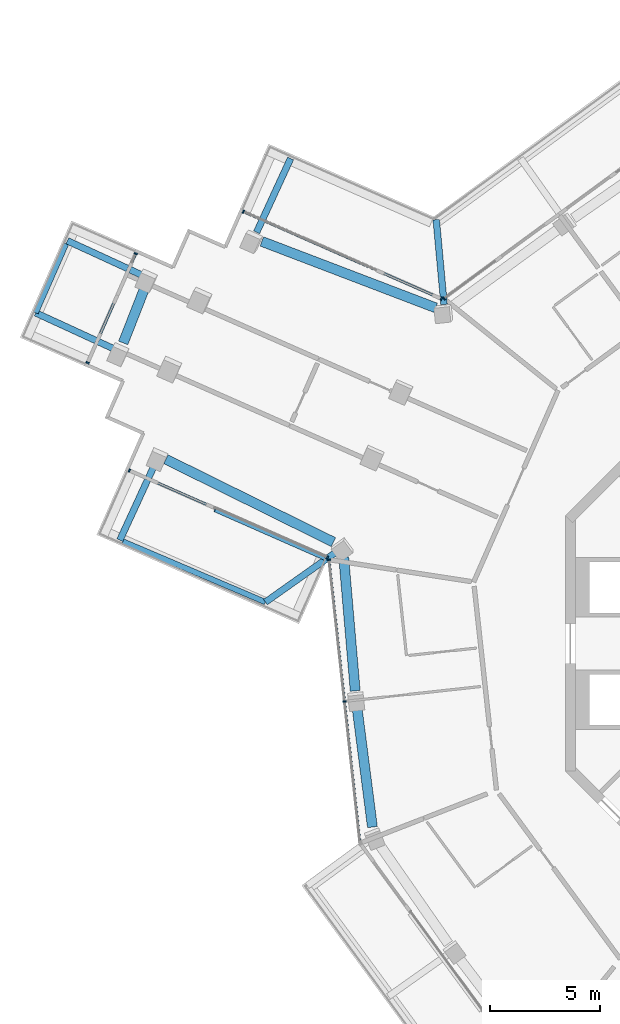
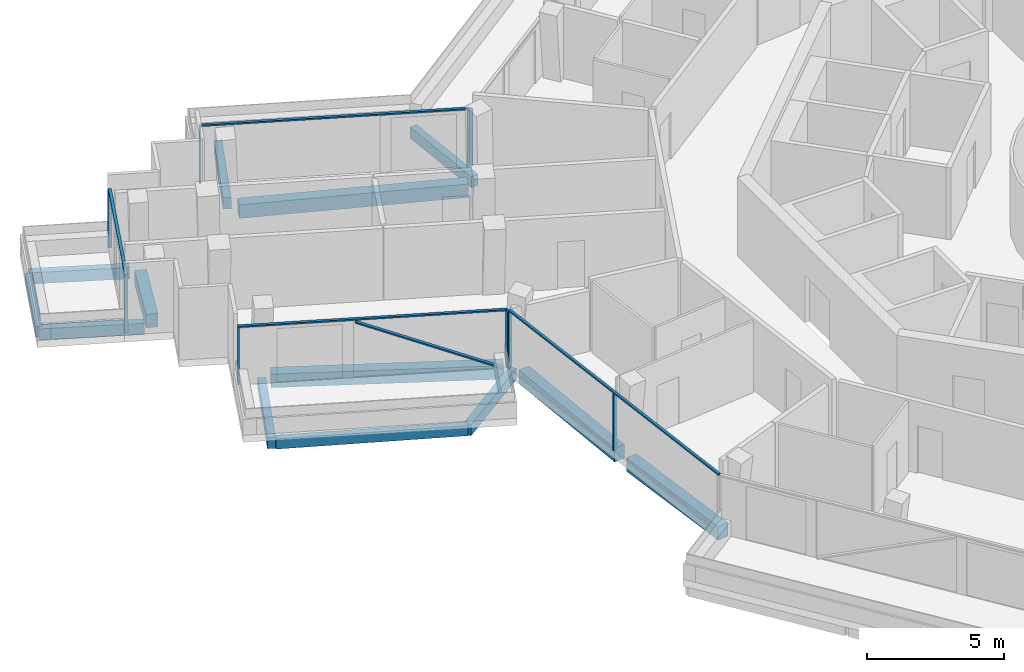
# One storey, part 5 of 24: 14 members, 13 beams, 5 elements without a shape of their own.
"""IFC4 building model written with IfcOpenShell, lengths in metres."""

from ifc_helpers import new_model, si_unit, direction, frame, origin, origin_2d, place, context, subcontext, project, spatial, rectangle, extrude, material, layer, layer_set, material_profile, profile_set, type_object, element, aggregate, save


model = new_model("IFC4")

# Units and contexts
model_context = context("Model", 3, precision=1e-05, world=origin(), true_north=direction((0.0, 1.0)))
body_context = subcontext(model_context, "Body", "Model", "MODEL_VIEW")
ifc_project = project(units=[si_unit("LENGTHUNIT", "METRE"), si_unit("AREAUNIT", "SQUARE_METRE"), si_unit("VOLUMEUNIT", "CUBIC_METRE"), si_unit("PLANEANGLEUNIT", "RADIAN"), si_unit("MASSUNIT", "GRAM", prefix="KILO")], contexts=[model_context])

# Site, building, storey
site_placement = place(None, origin())
site = spatial("IfcSite", under=ifc_project, at=site_placement, CompositionType="ELEMENT")
building_placement = place(site_placement, origin())
building = spatial("IfcBuilding", under=site, at=building_placement, Name="Verdalira Terraces Hotel", CompositionType="ELEMENT")
storey_placement = place(building_placement, frame((0.0, 0.0, 303.0)))
storey = spatial("IfcBuildingStorey", under=building, at=storey_placement, Name="L75", CompositionType="ELEMENT", Elevation=303.0)

# Beams
ifc_material_1 = material(Name="Concrete C40", Category="concrete")
ifc_material_profile_1 = material_profile(ifc_material_1, rectangle(XDim=0.300049, YDim=0.5, at=origin_2d()), Name="RC 300X500")
ifc_profile_set_1 = profile_set([ifc_material_profile_1], Name="Concrete C40")
beam_type_1 = type_object("IfcBeamType", Name="Balcony cantilever beam RC 300X500 C40", PredefinedType="BEAM", material=ifc_profile_set_1)
beam_1_placement = place(storey_placement, frame((-33.278076, 16.758789, -0.560059), z_axis=(-0.908368983, 0.418169571, 0.0), x_axis=(-0.418169571, -0.908368983, 0.0)))
element("IfcBeam", 1, at=beam_1_placement, inside=storey, type_object=beam_type_1, Name="Balcony cantilever beam R05-1", PredefinedType="BEAM", context=body_context, shape_type="SweptSolid", body=[
    extrude(rectangle(XDim=0.300049, YDim=0.5, at=origin_2d()), origin(), (0.0, 0.0, 1.0), 3.69458),
])
beam_2_placement = place(storey_placement, frame((-34.579102, 13.419678, -0.560059), z_axis=(-0.908361814, 0.418185144, 0.0), x_axis=(-0.418185144, -0.908361814, 0.0)))
element("IfcBeam", 2, at=beam_2_placement, inside=storey, type_object=beam_type_1, Name="Balcony cantilever beam R05-2", PredefinedType="BEAM", context=body_context, shape_type="SweptSolid", body=[
    extrude(rectangle(XDim=0.300049, YDim=0.5, at=origin_2d()), origin(), (0.0, 0.0, 1.0), 3.849121),
])
beam_3_placement = place(storey_placement, frame((-32.64917, 8.176758, -0.560059), z_axis=(-0.418192868, -0.908358258, 0.0), x_axis=(0.908358258, -0.418192868, 0.0)))
element("IfcBeam", 3, at=beam_3_placement, inside=storey, type_object=beam_type_1, Name="Balcony cantilever beam R10-1", PredefinedType="BEAM", context=body_context, shape_type="SweptSolid", body=[
    extrude(rectangle(XDim=0.300049, YDim=0.5, at=origin_2d()), origin(), (0.0, 0.0, 1.0), 3.829834),
])
beam_4_placement = place(storey_placement, frame((-24.410889, 4.163574, -0.560059), z_axis=(-0.816335323, -0.577578255, 0.0), x_axis=(0.577578255, -0.816335323, 0.0)))
element("IfcBeam", 4, at=beam_4_placement, inside=storey, type_object=beam_type_1, Name="Balcony cantilever beam R10-2", PredefinedType="BEAM", context=body_context, shape_type="SweptSolid", body=[
    extrude(rectangle(XDim=0.300049, YDim=0.5, at=origin_2d()), origin(), (0.0, 0.0, 1.0), 3.950195),
])
beam_5_placement = place(storey_placement, frame((-28.035156, 18.688721, -0.560059), z_axis=(0.41819818, 0.908355813, 0.0), x_axis=(-0.908355813, 0.41819818, 0.0)))
element("IfcBeam", 5, at=beam_5_placement, inside=storey, type_object=beam_type_1, Name="Balcony cantilever beam R41-1", PredefinedType="BEAM", context=body_context, shape_type="SweptSolid", body=[
    extrude(rectangle(XDim=0.300049, YDim=0.5, at=origin_2d()), origin(), (0.0, 0.0, 1.0), 3.691406),
])
beam_6_placement = place(storey_placement, frame((-19.517578, 15.411621, -0.560059), z_axis=(-0.092048775, 0.995754499, 0.0), x_axis=(-0.995754499, -0.092048775, 0.0)))
element("IfcBeam", 6, at=beam_6_placement, inside=storey, type_object=beam_type_1, Name="Balcony cantilever beam R41-4", PredefinedType="BEAM", context=body_context, shape_type="SweptSolid", body=[
    extrude(rectangle(XDim=0.300049, YDim=0.5, at=origin_2d()), origin(), (0.0, 0.0, 1.0), 3.869629),
])
ifc_material_2 = material(Name="Concrete C40", Category="concrete")
ifc_material_profile_2 = material_profile(ifc_material_2, rectangle(XDim=0.25, YDim=0.449951, at=origin_2d()), Name="RC 250X450")
ifc_profile_set_2 = profile_set([ifc_material_profile_2], Name="Concrete C40")
beam_type_2 = type_object("IfcBeamType", Name="Balcony edge beam RC 250X450 C40", PredefinedType="BEAM", material=ifc_profile_set_2)
beam_7_placement = place(storey_placement, frame((-36.694336, 18.166504, -0.534912), z_axis=(-0.402917623, -0.915236248, 0.0), x_axis=(0.915236248, -0.402917623, 0.0)))
element("IfcBeam", 7, at=beam_7_placement, inside=storey, type_object=beam_type_2, Name="Balcony edge beam R05-1", PredefinedType="BEAM", context=body_context, shape_type="SweptSolid", body=[
    extrude(rectangle(XDim=0.25, YDim=0.449951, at=origin_2d()), origin(), (0.0, 0.0, 1.0), 3.427734),
])
beam_8_placement = place(storey_placement, frame((-34.112793, 4.63916, -0.534912), z_axis=(0.920114487, -0.391649501, 0.0), x_axis=(0.391649501, 0.920114487, 0.0)))
element("IfcBeam", 8, at=beam_8_placement, inside=storey, type_object=beam_type_2, Name="Balcony edge beam R10-1", PredefinedType="BEAM", context=body_context, shape_type="SweptSolid", body=[
    extrude(rectangle(XDim=0.25, YDim=0.449951, at=origin_2d()), origin(), (0.0, 0.0, 1.0), 7.039551),
])

# Curtain wall, members
ifc_material_3 = material(Name="Clear glass", Category="glass")
ifc_layer_1 = layer(ifc_material_3, 0.14990234375)
ifc_layer_set_1 = layer_set([ifc_layer_1], Name="CW1 curtain wall")
curtain_wall_type_1 = type_object("IfcCurtainWallType", Name="CW1 curtain wall", PredefinedType="NOTDEFINED", material=ifc_layer_set_1)
curtain_wall_1_placement = place(storey_placement, origin())
curtain_wall_1 = element("IfcCurtainWall", 9, at=curtain_wall_1_placement, inside=storey, type_object=curtain_wall_type_1, Name="CW1 curtain wall L75 edge 11", PredefinedType="NOTDEFINED")
ifc_material_4 = material(Name="Terracotta frame", Category="masonry")
ifc_material_profile_3 = material_profile(ifc_material_4, rectangle(XDim=0.060059, YDim=0.149902, at=origin_2d()), Name="MU 60x150")
ifc_profile_set_3 = profile_set([ifc_material_profile_3], Name="Terracotta frame")
member_type_1 = type_object("IfcMemberType", Name="CW1 mullion 60x150", PredefinedType="MULLION", material=ifc_profile_set_3)
member_1_placement = place(storey_placement, frame((-24.743408, 3.802979, 0.0), z_axis=(0.0, 0.0, 1.0), x_axis=(0.108693378, -0.994075324, 0.0)))
member_1 = element("IfcMember", 10, at=member_1_placement, type_object=member_type_1, Name="CW1 mullion", PredefinedType="MULLION", context=body_context, shape_type="SweptSolid", body=[
    extrude(rectangle(XDim=0.060059, YDim=0.149902, at=origin_2d()), origin(), (0.0, 0.0, 1.0), 2.524902),
])
member_2_placement = place(storey_placement, frame((-24.040039, -2.628662, 0.0), z_axis=(0.0, 0.0, 1.0), x_axis=(0.108693378, -0.994075324, 0.0)))
member_2 = element("IfcMember", 11, at=member_2_placement, type_object=member_type_1, Name="CW1 mullion", PredefinedType="MULLION", context=body_context, shape_type="SweptSolid", body=[
    extrude(rectangle(XDim=0.060059, YDim=0.149902, at=origin_2d()), origin(), (0.0, 0.0, 1.0), 2.524902),
])

# Curtain wall, member
curtain_wall_2_placement = place(storey_placement, origin())
curtain_wall_2 = element("IfcCurtainWall", 12, at=curtain_wall_2_placement, inside=storey, type_object=curtain_wall_type_1, Name="CW1 curtain wall L75 edge 41", PredefinedType="NOTDEFINED")
member_3_placement = place(storey_placement, frame((-19.514893, 15.680176, 0.0), z_axis=(0.0, 0.0, 1.0), x_axis=(-0.806547795, -0.591168888, 0.0)))
member_3 = element("IfcMember", 13, at=member_3_placement, type_object=member_type_1, Name="CW1 mullion", PredefinedType="MULLION", context=body_context, shape_type="SweptSolid", body=[
    extrude(rectangle(XDim=0.060059, YDim=0.149902, at=origin_2d()), origin(), (0.0, 0.0, 1.0), 2.524902),
])
aggregate(curtain_wall_2, [member_3])

# Member
ifc_material_5 = material(Name="Terracotta frame", Category="masonry")
ifc_material_profile_4 = material_profile(ifc_material_5, rectangle(XDim=0.110107, YDim=0.064941, at=origin_2d()), Name="TR 65x110")
ifc_profile_set_4 = profile_set([ifc_material_profile_4], Name="Terracotta frame")
member_type_2 = type_object("IfcMemberType", Name="CW1 transom 65x110", PredefinedType="USERDEFINED", material=ifc_profile_set_4)
member_4_placement = place(storey_placement, frame((-24.746582, 3.833008, 2.557617), z_axis=(0.108696632, -0.994074968, 0.0), x_axis=(0.994074968, 0.108696632, 0.0)))
member_4 = element("IfcMember", 14, at=member_4_placement, type_object=member_type_2, Name="CW1 transom", ObjectType="TRANSOM", PredefinedType="USERDEFINED", context=body_context, shape_type="SweptSolid", body=[
    extrude(rectangle(XDim=0.110107, YDim=0.064941, at=origin_2d()), origin(), (0.0, 0.0, 1.0), 12.959961),
])

aggregate(curtain_wall_1, [member_1, member_2, member_4])

# Curtain wall, members
ifc_material_6 = material(Name="Clear glass", Category="glass")
ifc_layer_2 = layer(ifc_material_6, 0.14990234375)
ifc_layer_set_2 = layer_set([ifc_layer_2], Name="CW2 curtain wall")
curtain_wall_type_2 = type_object("IfcCurtainWallType", Name="CW2 curtain wall", PredefinedType="NOTDEFINED", material=ifc_layer_set_2)
curtain_wall_3_placement = place(storey_placement, origin())
curtain_wall_3 = element("IfcCurtainWall", 15, at=curtain_wall_3_placement, inside=storey, type_object=curtain_wall_type_2, Name="CW2 curtain wall L75 edge 0", PredefinedType="NOTDEFINED")
ifc_material_7 = material(Name="Terracotta frame", Category="masonry")
ifc_material_profile_5 = material_profile(ifc_material_7, rectangle(XDim=0.070068, YDim=0.149902, at=origin_2d()), Name="MU 70x150")
ifc_profile_set_5 = profile_set([ifc_material_profile_5], Name="Terracotta frame")
member_type_3 = type_object("IfcMemberType", Name="CW2 mullion 70x150", PredefinedType="MULLION", material=ifc_profile_set_5)
member_5_placement = place(storey_placement, frame((-19.645508, 15.668457, 0.0), z_axis=(0.0, 0.0, 1.0), x_axis=(-0.915241173, 0.402906436, 0.0)))
member_5 = element("IfcMember", 16, at=member_5_placement, type_object=member_type_3, Name="CW2 mullion", PredefinedType="MULLION", context=body_context, shape_type="SweptSolid", body=[
    extrude(rectangle(XDim=0.070068, YDim=0.149902, at=origin_2d()), origin(), (0.0, 0.0, 1.0), 2.524902),
])
member_6_placement = place(storey_placement, frame((-28.637939, 19.626953, 0.0), z_axis=(0.0, 0.0, 1.0), x_axis=(-0.915241173, 0.402906436, 0.0)))
member_6 = element("IfcMember", 17, at=member_6_placement, type_object=member_type_3, Name="CW2 mullion", PredefinedType="MULLION", context=body_context, shape_type="SweptSolid", body=[
    extrude(rectangle(XDim=0.070068, YDim=0.149902, at=origin_2d()), origin(), (0.0, 0.0, 1.0), 2.524902),
])

curtain_wall_4_placement = place(storey_placement, origin())
curtain_wall_4 = element("IfcCurtainWall", 18, at=curtain_wall_4_placement, inside=storey, type_object=curtain_wall_type_2, Name="CW2 curtain wall L75 edge 10", PredefinedType="NOTDEFINED")
member_7_placement = place(storey_placement, frame((-33.81543, 7.866211, 0.0), z_axis=(0.0, 0.0, 1.0), x_axis=(0.915241173, -0.402906436, 0.0)))
member_7 = element("IfcMember", 19, at=member_7_placement, type_object=member_type_3, Name="CW2 mullion", PredefinedType="MULLION", context=body_context, shape_type="SweptSolid", body=[
    extrude(rectangle(XDim=0.070068, YDim=0.149902, at=origin_2d()), origin(), (0.0, 0.0, 1.0), 2.524902),
])
member_8_placement = place(storey_placement, frame((-24.822998, 3.907471, 0.0), z_axis=(0.0, 0.0, 1.0), x_axis=(0.915241173, -0.402906436, 0.0)))
member_8 = element("IfcMember", 20, at=member_8_placement, type_object=member_type_3, Name="CW2 mullion", PredefinedType="MULLION", context=body_context, shape_type="SweptSolid", body=[
    extrude(rectangle(XDim=0.070068, YDim=0.149902, at=origin_2d()), origin(), (0.0, 0.0, 1.0), 2.524902),
])

# Member
ifc_material_8 = material(Name="Terracotta frame", Category="masonry")
ifc_material_profile_6 = material_profile(ifc_material_8, rectangle(XDim=0.11499, YDim=0.064941, at=origin_2d()), Name="TR 65x115")
ifc_profile_set_6 = profile_set([ifc_material_profile_6], Name="Terracotta frame")
member_type_4 = type_object("IfcMemberType", Name="CW2 transom 65x115", PredefinedType="USERDEFINED", material=ifc_profile_set_6)
member_9_placement = place(storey_placement, frame((-19.613525, 15.654297, 2.557617), z_axis=(-0.915244441, 0.402899011, 0.0), x_axis=(-0.402899011, -0.915244441, 0.0)))
member_9 = element("IfcMember", 21, at=member_9_placement, type_object=member_type_4, Name="CW2 transom", ObjectType="TRANSOM", PredefinedType="USERDEFINED", context=body_context, shape_type="SweptSolid", body=[
    extrude(rectangle(XDim=0.11499, YDim=0.064941, at=origin_2d()), origin(), (0.0, 0.0, 1.0), 9.895264),
])

aggregate(curtain_wall_3, [member_5, member_6, member_9])

member_10_placement = place(storey_placement, frame((-33.847412, 7.880371, 2.557617), z_axis=(0.915231337, -0.402928777, 0.0), x_axis=(0.402928777, 0.915231337, 0.0)))
member_10 = element("IfcMember", 22, at=member_10_placement, type_object=member_type_4, Name="CW2 transom", ObjectType="TRANSOM", PredefinedType="USERDEFINED", context=body_context, shape_type="SweptSolid", body=[
    extrude(rectangle(XDim=0.11499, YDim=0.064941, at=origin_2d()), origin(), (0.0, 0.0, 1.0), 9.895264),
])

# Curtain wall, members
ifc_material_9 = material(Name="Clear glass", Category="glass")
ifc_layer_3 = layer(ifc_material_9, 0.14990234375)
ifc_layer_set_3 = layer_set([ifc_layer_3], Name="CW3 curtain wall")
curtain_wall_type_3 = type_object("IfcCurtainWallType", Name="CW3 curtain wall", PredefinedType="NOTDEFINED", material=ifc_layer_set_3)
curtain_wall_5_placement = place(storey_placement, origin())
curtain_wall_5 = element("IfcCurtainWall", 23, at=curtain_wall_5_placement, inside=storey, type_object=curtain_wall_type_3, Name="CW3 curtain wall L75 edge 5", PredefinedType="NOTDEFINED")
ifc_material_10 = material(Name="Terracotta frame", Category="masonry")
ifc_material_profile_7 = material_profile(ifc_material_10, rectangle(XDim=0.080078, YDim=0.149902, at=origin_2d()), Name="MU 80x150")
ifc_profile_set_7 = profile_set([ifc_material_profile_7], Name="Terracotta frame")
member_type_5 = type_object("IfcMemberType", Name="CW3 mullion 80x150", PredefinedType="MULLION", material=ifc_profile_set_7)
member_11_placement = place(storey_placement, frame((-33.530273, 17.72168, 0.0), z_axis=(0.0, 0.0, 1.0), x_axis=(-0.402906436, -0.915241173, 0.0)))
member_11 = element("IfcMember", 24, at=member_11_placement, type_object=member_type_5, Name="CW3 mullion", PredefinedType="MULLION", context=body_context, shape_type="SweptSolid", body=[
    extrude(rectangle(XDim=0.080078, YDim=0.149902, at=origin_2d()), origin(), (0.0, 0.0, 1.0), 2.524902),
])
member_12_placement = place(storey_placement, frame((-35.714111, 12.760986, 0.0), z_axis=(0.0, 0.0, 1.0), x_axis=(-0.402906436, -0.915241173, 0.0)))
member_12 = element("IfcMember", 25, at=member_12_placement, type_object=member_type_5, Name="CW3 mullion", PredefinedType="MULLION", context=body_context, shape_type="SweptSolid", body=[
    extrude(rectangle(XDim=0.080078, YDim=0.149902, at=origin_2d()), origin(), (0.0, 0.0, 1.0), 2.524902),
])
ifc_material_11 = material(Name="Terracotta frame", Category="masonry")
ifc_material_profile_8 = material_profile(ifc_material_11, rectangle(XDim=0.120117, YDim=0.064941, at=origin_2d()), Name="TR 65x120")
ifc_profile_set_8 = profile_set([ifc_material_profile_8], Name="Terracotta frame")
member_type_6 = type_object("IfcMemberType", Name="CW3 transom 65x120", PredefinedType="USERDEFINED", material=ifc_profile_set_8)
member_13_placement = place(storey_placement, frame((-33.51416, 17.758301, 2.557617), z_axis=(-0.402911162, -0.915239092, 0.0), x_axis=(0.915239092, -0.402911162, 0.0)))
member_13 = element("IfcMember", 26, at=member_13_placement, type_object=member_type_6, Name="CW3 transom", ObjectType="TRANSOM", PredefinedType="USERDEFINED", context=body_context, shape_type="SweptSolid", body=[
    extrude(rectangle(XDim=0.120117, YDim=0.064941, at=origin_2d()), origin(), (0.0, 0.0, 1.0), 5.500244),
])
aggregate(curtain_wall_5, [member_11, member_12, member_13])

# Member
ifc_material_12 = material(Name="Terracotta frame", Category="masonry")
ifc_material_profile_9 = material_profile(ifc_material_12, rectangle(XDim=0.149902, YDim=0.060059, at=origin_2d()), Name="GB 60x150")
ifc_profile_set_9 = profile_set([ifc_material_profile_9], Name="Terracotta frame")
member_type_7 = type_object("IfcMemberType", Name="Diagonal glazing bar 60x150", PredefinedType="USERDEFINED", material=ifc_profile_set_9)
member_14_placement = place(storey_placement, frame((-29.937012, 6.059326, 2.496826), z_axis=(0.833708334, -0.36701446, -0.412590353), x_axis=(0.402906729, 0.915241044, 0.0)))
member_14 = element("IfcMember", 27, at=member_14_placement, type_object=member_type_7, Name="Diagonal glazing bar", ObjectType="GLAZING BAR", PredefinedType="USERDEFINED", context=body_context, shape_type="SweptSolid", body=[
    extrude(rectangle(XDim=0.149902, YDim=0.060059, at=origin_2d()), origin(), (0.0, 0.0, 1.0), 5.983643),
])

aggregate(curtain_wall_4, [member_7, member_8, member_10, member_14])

# Beams
ifc_material_13 = material(Name="Concrete C40", Category="concrete")
ifc_material_profile_10 = material_profile(ifc_material_13, rectangle(XDim=0.449951, YDim=0.600098, at=origin_2d()), Name="RC 450X600")
ifc_profile_set_10 = profile_set([ifc_material_profile_10], Name="Concrete C40")
beam_type_3 = type_object("IfcBeamType", Name="Spandrel beam RC 450X600 C40", PredefinedType="SPANDREL", material=ifc_profile_set_10)
beam_9_placement = place(storey_placement, frame((-19.901367, 15.258057, -0.610107), z_axis=(-0.934190908, 0.356773524, 0.0), x_axis=(-0.356773524, -0.934190908, 0.0)))
element("IfcBeam", 28, at=beam_9_placement, inside=storey, type_object=beam_type_3, Name="Spandrel beam B01", PredefinedType="SPANDREL", context=body_context, shape_type="SweptSolid", body=[
    extrude(rectangle(XDim=0.449951, YDim=0.600098, at=origin_2d()), origin(), (0.0, 0.0, 1.0), 8.452393),
])
beam_10_placement = place(storey_placement, frame((-33.061279, 16.310791, -0.610107), z_axis=(-0.364438192, -0.931227579, 0.0), x_axis=(0.931227579, -0.364438192, 0.0)))
element("IfcBeam", 29, at=beam_10_placement, inside=storey, type_object=beam_type_3, Name="Spandrel beam B02", PredefinedType="SPANDREL", context=body_context, shape_type="SweptSolid", body=[
    extrude(rectangle(XDim=0.449951, YDim=0.600098, at=origin_2d()), origin(), (0.0, 0.0, 1.0), 2.84375),
])
beam_11_placement = place(storey_placement, frame((-32.158691, 8.377686, -0.610107), z_axis=(0.896315808, -0.443416252, 0.0), x_axis=(0.443416252, 0.896315808, 0.0)))
element("IfcBeam", 30, at=beam_11_placement, inside=storey, type_object=beam_type_3, Name="Spandrel beam B03", PredefinedType="SPANDREL", context=body_context, shape_type="SweptSolid", body=[
    extrude(rectangle(XDim=0.449951, YDim=0.600098, at=origin_2d()), origin(), (0.0, 0.0, 1.0), 8.495605),
])
beam_12_placement = place(storey_placement, frame((-24.077637, 3.923096, -0.610107), z_axis=(0.085646443, -0.996325593, 0.0), x_axis=(0.996325593, 0.085646443, 0.0)))
element("IfcBeam", 31, at=beam_12_placement, inside=storey, type_object=beam_type_3, Name="Spandrel beam B04", PredefinedType="SPANDREL", context=body_context, shape_type="SweptSolid", body=[
    extrude(rectangle(XDim=0.449951, YDim=0.600098, at=origin_2d()), origin(), (0.0, 0.0, 1.0), 6.097412),
])
beam_13_placement = place(storey_placement, frame((-23.47876, -2.862305, -0.610107), z_axis=(0.127838045, -0.991795057, 0.0), x_axis=(0.991795057, 0.127838045, 0.0)))
element("IfcBeam", 32, at=beam_13_placement, inside=storey, type_object=beam_type_3, Name="Spandrel beam B05", PredefinedType="SPANDREL", context=body_context, shape_type="SweptSolid", body=[
    extrude(rectangle(XDim=0.449951, YDim=0.600098, at=origin_2d()), origin(), (0.0, 0.0, 1.0), 5.52124),
])

save(model, "model.ifc")
